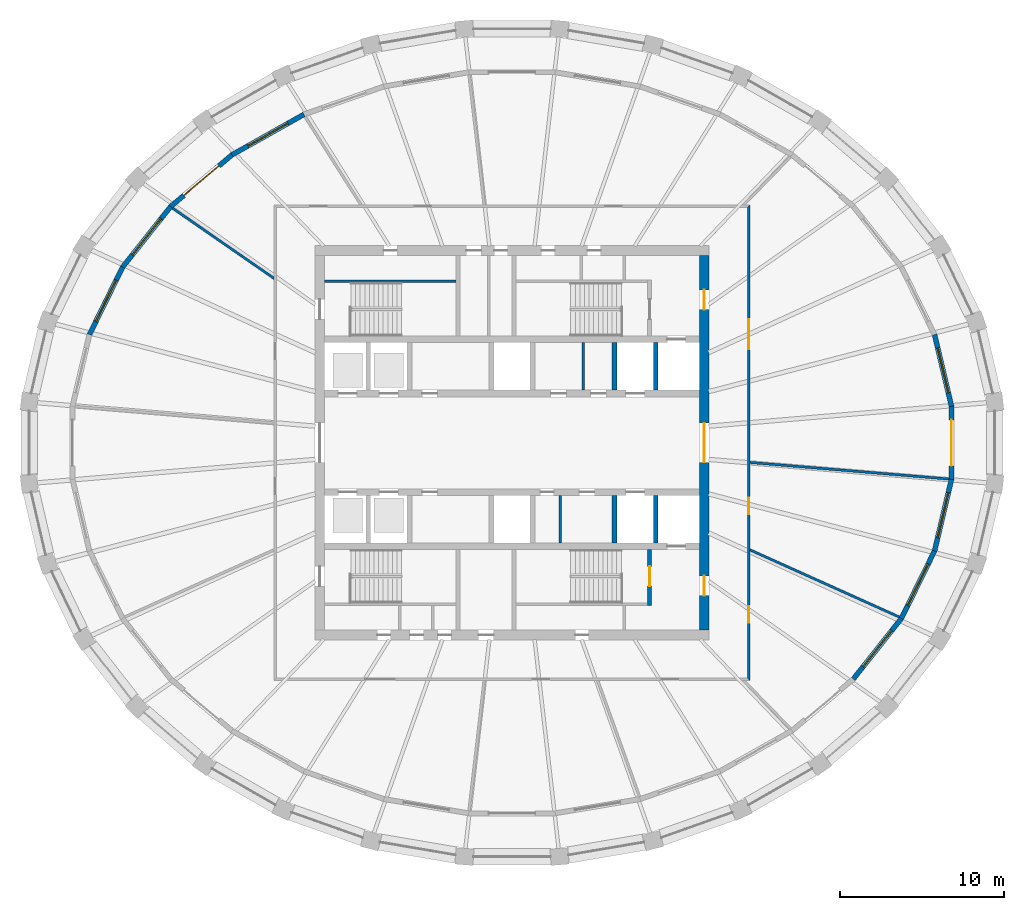
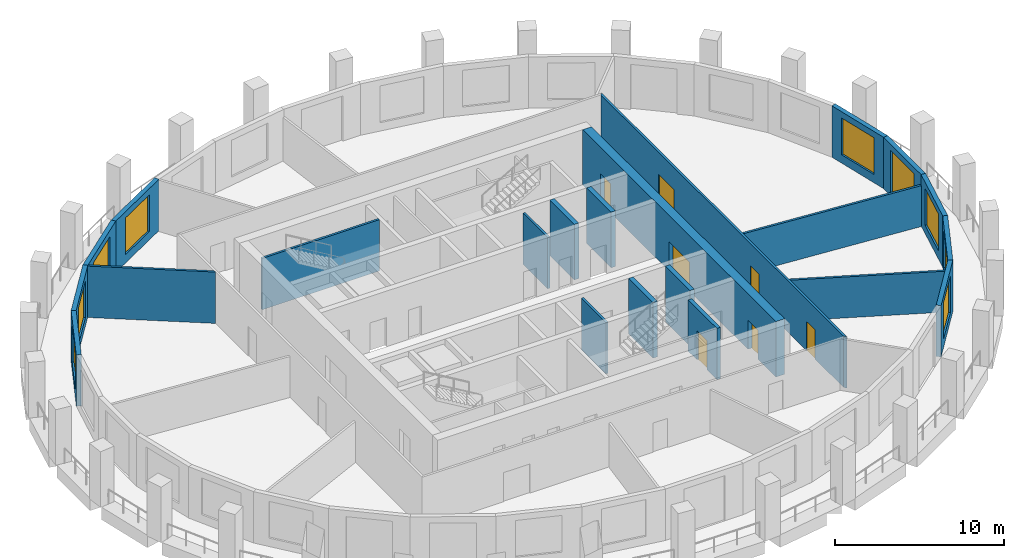
# One storey, part 5 of 10: 22 walls, 9 doors, 7 windows, 16 openings.
"""IFC4 building model written with IfcOpenShell, lengths in metres."""

from ifc_helpers import new_model, si_unit, direction, frame, frame_2d, origin, place, context, subcontext, project, spatial, polyline, rectangle, outline, extrude, material, layer, layer_set, type_object, element, fill, save


model = new_model("IFC4")

# Units and contexts
model_context = context("Model", 3, precision=1e-05, world=origin(), true_north=direction((0.0, 1.0)))
body_context = subcontext(model_context, "Body", "Model", "MODEL_VIEW")
ifc_project = project(units=[si_unit("LENGTHUNIT", "METRE"), si_unit("AREAUNIT", "SQUARE_METRE"), si_unit("VOLUMEUNIT", "CUBIC_METRE"), si_unit("PLANEANGLEUNIT", "RADIAN"), si_unit("MASSUNIT", "GRAM", prefix="KILO")], contexts=[model_context])

# Site, building, storey
site_placement = place(None, origin())
site = spatial("IfcSite", under=ifc_project, at=site_placement, CompositionType="ELEMENT")
building_placement = place(site_placement, origin())
building = spatial("IfcBuilding", under=site, at=building_placement, Name="Halqa Exchange Tower", CompositionType="ELEMENT")
storey_placement = place(building_placement, frame((0.0, 0.0, 284.300048828125)))
storey = spatial("IfcBuildingStorey", under=building, at=storey_placement, Name="L66", CompositionType="ELEMENT", Elevation=284.300048828125)

# Wall
ifc_material_1 = material(Name="Fire-rated gypsum board")
ifc_layer_1 = layer(ifc_material_1, 0.14990234375)
ifc_layer_set_1 = layer_set([ifc_layer_1], Name="Fire-rated gypsum board")
wall_type_1 = type_object("IfcWallType", Name="Fire partition EI 60 150", PredefinedType="PARTITIONING", material=ifc_layer_set_1)
wall_1_placement = place(storey_placement, frame((-14.4326171875, 9.972412109375, 0.0), z_axis=(0.0, 0.0, 1.0), x_axis=(-0.822596869136, 0.568625000231, 0.0)))
element("IfcWall", 1, at=wall_1_placement, inside=storey, type_object=wall_type_1, Name="L66-PWL-005", PredefinedType="PARTITIONING", context=body_context, shape_type="SweptSolid", body=[
    extrude(outline(polyline([(0.103271484375, -0.074951171875), (1.96533203125, -0.074951171875), (3.827392578125, -0.074951171875), (5.689208984375, -0.074951171875), (7.55126953125, -0.074951171875), (7.5712890625, -0.001708984375), (7.575927734375, 0.0693359375), (7.575927734375, 0.074951171875), (5.681884765625, 0.074951171875), (3.7880859375, 0.074951171875), (1.89404296875, 0.074951171875), (0.0, 0.074951171875), (0.0, 0.074462890625), (0.103271484375, -0.074951171875)])), origin(), (0.0, 0.0, 1.0), 3.699951171875),
])

# Wall, openings, doors
wall_2_placement = place(storey_placement, frame((14.39990234375, -14.47509765625, 0.0), z_axis=(0.0, 0.0, 1.0), x_axis=(0.0, 1.0, 0.0)))
wall_2 = element("IfcWall", 2, at=wall_2_placement, inside=storey, type_object=wall_type_1, Name="L66-PWL-012", PredefinedType="PARTITIONING", context=body_context, shape_type="SweptSolid", body=[
    extrude(outline(polyline([(0.000244140625, -0.074951171875), (1.93017578125, -0.074951171875), (3.860107421875, -0.074951171875), (5.790283203125, -0.074951171875), (7.72021484375, -0.074951171875), (9.650146484375, -0.074951171875), (11.580078125, -0.074951171875), (13.510009765625, -0.074951171875), (15.440185546875, -0.074951171875), (17.3701171875, -0.074951171875), (19.300048828125, -0.074951171875), (21.22998046875, -0.074951171875), (23.159912109375, -0.074951171875), (25.090087890625, -0.074951171875), (27.02001953125, -0.074951171875), (28.949951171875, -0.074951171875), (28.800048828125, 0.074951171875), (26.89013671875, 0.074951171875), (24.97998046875, 0.074951171875), (23.070068359375, 0.074951171875), (21.16015625, 0.074951171875), (19.25, 0.074951171875), (17.340087890625, 0.074951171875), (15.43017578125, 0.074951171875), (13.52001953125, 0.074951171875), (11.610107421875, 0.074951171875), (9.7001953125, 0.074951171875), (7.7900390625, 0.074951171875), (5.880126953125, 0.074951171875), (3.97021484375, 0.074951171875), (2.06005859375, 0.074951171875), (0.150146484375, 0.074951171875), (0.000244140625, -0.074951171875)])), origin(), (0.0, 0.0, 1.0), 3.699951171875),
])
opening_1_placement = place(wall_2_placement, frame((3.534912109375, 0.0, 0.0)))
opening_1 = element("IfcOpeningElement", 3, at=opening_1_placement, cuts=wall_2, Name="Opening 20-01", PredefinedType="OPENING", context=body_context, shape_type="SweptSolid", body=[
    extrude(rectangle(XDim=1.0, YDim=2.10009765625, at=frame_2d((0.5, 1.050048828125))), frame((0.0, 0.0869140625, 0.0), z_axis=(0.0, -1.0, 0.0), x_axis=(1.0, 0.0, 0.0)), (0.0, 0.0, 1.0), 0.173828125),
])
opening_2_placement = place(wall_2_placement, frame((10.139892578125, 0.0, 0.0)))
opening_2 = element("IfcOpeningElement", 4, at=opening_2_placement, cuts=wall_2, Name="Opening 20-02", PredefinedType="OPENING", context=body_context, shape_type="SweptSolid", body=[
    extrude(rectangle(XDim=1.0, YDim=2.10009765625, at=frame_2d((0.5, 1.050048828125))), frame((0.0, 0.0869140625, 0.0), z_axis=(0.0, -1.0, 0.0), x_axis=(1.0, 0.0, 0.0)), (0.0, 0.0, 1.0), 0.173828125),
])
opening_3_placement = place(wall_2_placement, frame((20.179931640625, 0.0, 0.0)))
opening_3 = element("IfcOpeningElement", 5, at=opening_3_placement, cuts=wall_2, Name="Opening 20-03", PredefinedType="OPENING", context=body_context, shape_type="SweptSolid", body=[
    extrude(rectangle(XDim=1.800048828125, YDim=2.10009765625, at=frame_2d((0.89990234375, 1.050048828125))), frame((0.0, 0.0869140625, 0.0), z_axis=(0.0, -1.0, 0.0), x_axis=(1.0, 0.0, 0.0)), (0.0, 0.0, 1.0), 0.173828125),
])
ifc_material_2 = material(Name="Steel fire door leaf", Category="steel")
door_type_1 = type_object("IfcDoorType", Name="Fire door FD30S 1000 x 2100", OperationType="SINGLE_SWING_LEFT", PredefinedType="DOOR", material=ifc_material_2)
door_1_placement = place(opening_1_placement, frame((1.0, 0.0, 0.0), z_axis=(0.0, 0.0, 1.0), x_axis=(-1.0, 0.0, 0.0)))
door_1 = element("IfcDoor", 6, at=door_1_placement, inside=storey, type_object=door_type_1, Name="L66-IDR-001", OperationType="SINGLE_SWING_RIGHT", OverallHeight=2.10009765625, OverallWidth=1.0, PredefinedType="DOOR", context=body_context, shape_type="SweptSolid", body=[
    extrude(rectangle(XDim=1.0, YDim=2.10009765625, at=frame_2d((0.5, 1.050048828125))), frame((0.0, 0.02490234375, 0.0), z_axis=(0.0, -1.0, 0.0), x_axis=(1.0, 0.0, 0.0)), (0.0, 0.0, 1.0), 0.050048828125),
])
fill(opening_1, door_1)
door_2_placement = place(opening_2_placement, frame((1.0, 0.0, 0.0), z_axis=(0.0, 0.0, 1.0), x_axis=(-1.0, 0.0, 0.0)))
door_2 = element("IfcDoor", 7, at=door_2_placement, inside=storey, type_object=door_type_1, Name="L66-IDR-002", OperationType="SINGLE_SWING_LEFT", OverallHeight=2.10009765625, OverallWidth=1.0, PredefinedType="DOOR", context=body_context, shape_type="SweptSolid", body=[
    extrude(rectangle(XDim=1.0, YDim=2.10009765625, at=frame_2d((0.5, 1.050048828125))), frame((0.0, 0.02490234375, 0.0), z_axis=(0.0, -1.0, 0.0), x_axis=(1.0, 0.0, 0.0)), (0.0, 0.0, 1.0), 0.050048828125),
])
fill(opening_2, door_2)
door_type_2 = type_object("IfcDoorType", Name="Fire door FD30S double 1800 x 2100", OperationType="DOUBLE_DOOR_SINGLE_SWING", PredefinedType="DOOR", material=ifc_material_2)
door_3_placement = place(opening_3_placement, frame((1.800048828125, 0.0, 0.0), z_axis=(0.0, 0.0, 1.0), x_axis=(-1.0, 0.0, 0.0)))
door_3 = element("IfcDoor", 8, at=door_3_placement, inside=storey, type_object=door_type_2, Name="L66-IDR-003", OperationType="DOUBLE_DOOR_SINGLE_SWING", OverallHeight=2.10009765625, OverallWidth=1.800048828125, PredefinedType="DOOR", context=body_context, shape_type="SweptSolid", body=[
    extrude(rectangle(XDim=1.800048828125, YDim=2.10009765625, at=frame_2d((0.89990234375, 1.050048828125))), frame((0.0, 0.02490234375, 0.0), z_axis=(0.0, -1.0, 0.0), x_axis=(1.0, 0.0, 0.0)), (0.0, 0.0, 1.0), 0.050048828125),
])
fill(opening_3, door_3)

# Walls
wall_3_placement = place(storey_placement, frame((14.444580078125, -6.5, 0.0), z_axis=(0.0, 0.0, 1.0), x_axis=(0.912008635086, -0.410171000351, 0.0)))
element("IfcWall", 9, at=wall_3_placement, inside=storey, type_object=wall_type_1, Name="L66-PWL-013", PredefinedType="PARTITIONING", context=body_context, shape_type="SweptSolid", body=[
    extrude(outline(polyline([(0.067138671875, -0.074951171875), (2.052001953125, -0.074951171875), (4.03662109375, -0.074951171875), (6.021484375, -0.074951171875), (8.00634765625, -0.074951171875), (9.9912109375, -0.074951171875), (10.0087890625, -0.00537109375), (10.011474609375, 0.07080078125), (10.011474609375, 0.074951171875), (8.3427734375, 0.074951171875), (6.67431640625, 0.074951171875), (5.005859375, 0.074951171875), (3.337158203125, 0.074951171875), (1.66845703125, 0.074951171875), (0.0, 0.074951171875), (0.0, 0.07421875), (0.067138671875, -0.074951171875)])), origin(), (0.0, 0.0, 1.0), 2.947021484375),
])
wall_4_placement = place(storey_placement, frame((14.46923828125, -1.19580078125, 0.0), z_axis=(0.0, 0.0, 1.0), x_axis=(0.996556684965, -0.08291425481, 0.0)))
element("IfcWall", 10, at=wall_4_placement, inside=storey, type_object=wall_type_1, Name="L66-PWL-014", PredefinedType="PARTITIONING", context=body_context, shape_type="SweptSolid", body=[
    extrude(outline(polyline([(0.011962890625, -0.074951171875), (1.747314453125, -0.074951171875), (3.482666015625, -0.074951171875), (5.218017578125, -0.074951171875), (6.953369140625, -0.074951171875), (8.688720703125, -0.074951171875), (10.424072265625, -0.074951171875), (12.159423828125, -0.074951171875), (12.163818359375, -0.045166015625), (12.163818359375, 0.074951171875), (10.426025390625, 0.074951171875), (8.6884765625, 0.074951171875), (6.95068359375, 0.074951171875), (5.213134765625, 0.074951171875), (3.475341796875, 0.074951171875), (1.73779296875, 0.074951171875), (0.0, 0.074951171875), (0.0, 0.069580078125), (0.011962890625, -0.074951171875)])), origin(), (0.0, 0.0, 1.0), 2.947021484375),
])
ifc_material_3 = material(Name="Gypsum board")
ifc_layer_2 = layer(ifc_material_3, 0.14990234375)
ifc_layer_set_2 = layer_set([ifc_layer_2], Name="Gypsum board")
wall_type_2 = type_object("IfcWallType", Name="Penthouse riser wall 150 gypsum", PredefinedType="PARTITIONING", material=ifc_layer_set_2)
for number, where, z_axis, x_axis, name in (
    (11, (4.35009765625, 3.199951171875, 0.0), (0.0, 0.0, 1.0), (0.0, 1.0, 0.0), "Freed bay partition NE4.350"),
    (12, (2.949951171875, -6.10009765625, 0.0), (0.0, 0.0, 1.0), (0.0, 1.0, 0.0), "Freed bay partition SE2.950"),
):
    element("IfcWall", number, at=place(storey_placement, frame(where, z_axis=z_axis, x_axis=x_axis)), inside=storey, type_object=wall_type_2, Name=name, PredefinedType="PARTITIONING", context=body_context, shape_type="SweptSolid", body=[
        extrude(rectangle(XDim=2.900146484375, YDim=0.14990234375, at=frame_2d((1.4501953125, 0.0))), origin(), (0.0, 0.0, 1.0), 3.699951171875),
    ])
ifc_material_4 = material(Name="Concrete C60/75", Category="concrete")
ifc_layer_3 = layer(ifc_material_4, 0.300048828125)
ifc_layer_set_3 = layer_set([ifc_layer_3], Name="Concrete C60/75")
wall_type_3 = type_object("IfcWallType", Name="RC core wall 300", PredefinedType="SHEAR", material=ifc_layer_set_3)
for number, where, z_axis, x_axis, name in (
    (13, (6.25, 3.199951171875, 0.0), (0.0, 0.0, 1.0), (0.0, 1.0, 0.0), "Shaft divider N7"),
    (14, (8.75, 3.199951171875, 0.0), (0.0, 0.0, 1.0), (0.0, 1.0, 0.0), "Shaft divider N8"),
    (15, (6.25, -6.10009765625, 0.0), (0.0, 0.0, 1.0), (0.0, 1.0, 0.0), "Shaft divider S7"),
    (16, (8.75, -6.10009765625, 0.0), (0.0, 0.0, 1.0), (0.0, 1.0, 0.0), "Shaft divider S8"),
):
    element("IfcWall", number, at=place(storey_placement, frame(where, z_axis=z_axis, x_axis=x_axis)), inside=storey, type_object=wall_type_3, Name=name, PredefinedType="SHEAR", context=body_context, shape_type="SweptSolid", body=[
        extrude(rectangle(XDim=2.900146484375, YDim=0.300048828125, at=frame_2d((1.4501953125, 0.0))), origin(), (0.0, 0.0, 1.0), 4.0),
    ])

# Wall, openings, doors
ifc_layer_4 = layer(ifc_material_4, 0.60009765625)
ifc_layer_set_4 = layer_set([ifc_layer_4], Name="Concrete C60/75")
wall_type_4 = type_object("IfcWallType", Name="RC core wall 600 C60/75", PredefinedType="SHEAR", material=ifc_layer_set_4)
wall_5_placement = place(storey_placement, frame((11.699951171875, -11.39990234375, 0.0), z_axis=(0.0, 0.0, 1.0), x_axis=(0.0, 1.0, 0.0)))
wall_5 = element("IfcWall", 17, at=wall_5_placement, inside=storey, type_object=wall_type_4, Name="Core wall east", PredefinedType="SHEAR", context=body_context, shape_type="SweptSolid", body=[
    extrude(rectangle(XDim=22.7998046875, YDim=0.60009765625, at=frame_2d((11.39990234375, 0.0))), origin(), (0.0, 0.0, 1.0), 4.0),
])
opening_4_placement = place(wall_5_placement, frame((10.199951171875, 0.0, 0.0)))
opening_4 = element("IfcOpeningElement", 18, at=opening_4_placement, cuts=wall_5, Name="Opening T20-C10", PredefinedType="OPENING", context=body_context, shape_type="SweptSolid", body=[
    extrude(rectangle(XDim=2.39990234375, YDim=2.10009765625, at=frame_2d((1.199951171875, 1.050048828125))), frame((0.0, 0.31201171875, 0.0), z_axis=(0.0, -1.0, 0.0), x_axis=(1.0, 0.0, 0.0)), (0.0, 0.0, 1.0), 0.6240234375),
])
opening_5_placement = place(wall_5_placement, frame((19.5, 0.0, 0.0)))
opening_5 = element("IfcOpeningElement", 19, at=opening_5_placement, cuts=wall_5, Name="Opening T20-C15", PredefinedType="OPENING", context=body_context, shape_type="SweptSolid", body=[
    extrude(rectangle(XDim=1.199951171875, YDim=2.10009765625, at=frame_2d((0.60009765625, 1.050048828125))), frame((0.0, 0.31201171875, 0.0), z_axis=(0.0, -1.0, 0.0), x_axis=(1.0, 0.0, 0.0)), (0.0, 0.0, 1.0), 0.6240234375),
])
opening_6_placement = place(wall_5_placement, frame((2.10009765625, 0.0, 0.0)))
opening_6 = element("IfcOpeningElement", 20, at=opening_6_placement, cuts=wall_5, Name="Opening T20-C16", PredefinedType="OPENING", context=body_context, shape_type="SweptSolid", body=[
    extrude(rectangle(XDim=1.199951171875, YDim=2.10009765625, at=frame_2d((0.60009765625, 1.050048828125))), frame((0.0, 0.31201171875, 0.0), z_axis=(0.0, -1.0, 0.0), x_axis=(1.0, 0.0, 0.0)), (0.0, 0.0, 1.0), 0.6240234375),
])
door_type_3 = type_object("IfcDoorType", Name="Firefighting lobby door FD90 1200 x 2100", OperationType="SINGLE_SWING_RIGHT", PredefinedType="DOOR", material=ifc_material_2)
door_4_placement = place(opening_5_placement, origin())
door_4 = element("IfcDoor", 21, at=door_4_placement, inside=storey, type_object=door_type_3, Name="Firefighting lobby door", OperationType="SINGLE_SWING_RIGHT", OverallHeight=2.10009765625, OverallWidth=1.199951171875, PredefinedType="DOOR", context=body_context, shape_type="SweptSolid", body=[
    extrude(rectangle(XDim=1.199951171875, YDim=2.10009765625, at=frame_2d((0.60009765625, 1.050048828125))), frame((0.0, 0.02490234375, 0.0), z_axis=(0.0, -1.0, 0.0), x_axis=(1.0, 0.0, 0.0)), (0.0, 0.0, 1.0), 0.050048828125),
])
fill(opening_5, door_4)
door_5_placement = place(opening_6_placement, origin())
door_5 = element("IfcDoor", 22, at=door_5_placement, inside=storey, type_object=door_type_3, Name="Firefighting lobby door", OperationType="SINGLE_SWING_LEFT", OverallHeight=2.10009765625, OverallWidth=1.199951171875, PredefinedType="DOOR", context=body_context, shape_type="SweptSolid", body=[
    extrude(rectangle(XDim=1.199951171875, YDim=2.10009765625, at=frame_2d((0.60009765625, 1.050048828125))), frame((0.0, 0.02490234375, 0.0), z_axis=(0.0, -1.0, 0.0), x_axis=(1.0, 0.0, 0.0)), (0.0, 0.0, 1.0), 0.050048828125),
])
fill(opening_6, door_5)
door_type_4 = type_object("IfcDoorType", Name="Lobby double door FD60 2400 x 2100", OperationType="DOUBLE_DOOR_SINGLE_SWING", PredefinedType="DOOR", material=ifc_material_2)
door_6_placement = place(opening_4_placement, origin())
door_6 = element("IfcDoor", 23, at=door_6_placement, inside=storey, type_object=door_type_4, Name="Lift lobby double door", OperationType="DOUBLE_DOOR_SINGLE_SWING", OverallHeight=2.10009765625, OverallWidth=2.39990234375, PredefinedType="DOOR", context=body_context, shape_type="SweptSolid", body=[
    extrude(rectangle(XDim=2.39990234375, YDim=2.10009765625, at=frame_2d((1.199951171875, 1.050048828125))), frame((0.0, 0.02490234375, 0.0), z_axis=(0.0, -1.0, 0.0), x_axis=(1.0, 0.0, 0.0)), (0.0, 0.0, 1.0), 0.050048828125),
])
fill(opening_4, door_6)

# Wall
ifc_material_5 = material(Name="Concrete C30/37", Category="concrete")
ifc_layer_5 = layer(ifc_material_5, 0.14990234375)
ifc_layer_set_5 = layer_set([ifc_layer_5], Name="Concrete C30/37")
wall_type_5 = type_object("IfcWallType", Name="RC stair wall 150 C30/37", PredefinedType="SHEAR", material=ifc_layer_set_5)
wall_6_placement = place(storey_placement, frame((-11.39990234375, 9.824951171875, 0.0), z_axis=(0.0, 0.0, 1.0), x_axis=(1.0, 0.0, 0.0)))
element("IfcWall", 24, at=wall_6_placement, inside=storey, type_object=wall_type_5, Name="Stair ST1 north wall N", PredefinedType="SHEAR", context=body_context, shape_type="SweptSolid", body=[
    extrude(rectangle(XDim=8.0, YDim=0.14990234375, at=frame_2d((4.0, 0.0))), origin(), (0.0, 0.0, 1.0), 3.699951171875),
])

# Wall, opening, door
ifc_layer_6 = layer(ifc_material_5, 0.25)
ifc_layer_set_6 = layer_set([ifc_layer_6], Name="Concrete C30/37")
wall_type_6 = type_object("IfcWallType", Name="RC stair wall 250 C30/37", PredefinedType="SHEAR", material=ifc_layer_set_6)
wall_7_placement = place(storey_placement, frame((8.375, -9.89990234375, 0.0), z_axis=(0.0, 0.0, 1.0), x_axis=(0.0, 1.0, 0.0)))
wall_7 = element("IfcWall", 25, at=wall_7_placement, inside=storey, type_object=wall_type_6, Name="Stair ST2 east wall S", PredefinedType="SHEAR", context=body_context, shape_type="SweptSolid", body=[
    extrude(rectangle(XDim=3.39990234375, YDim=0.25, at=frame_2d((1.699951171875, 0.0))), origin(), (0.0, 0.0, 1.0), 3.699951171875),
])
opening_7_placement = place(wall_7_placement, frame((1.175048828125, 0.0, 0.0)))
opening_7 = element("IfcOpeningElement", 26, at=opening_7_placement, cuts=wall_7, Name="Opening T20-C14", PredefinedType="OPENING", context=body_context, shape_type="SweptSolid", body=[
    extrude(rectangle(XDim=1.199951171875, YDim=2.10009765625, at=frame_2d((0.60009765625, 1.050048828125))), frame((0.0, 0.136962890625, 0.0), z_axis=(0.0, -1.0, 0.0), x_axis=(1.0, 0.0, 0.0)), (0.0, 0.0, 1.0), 0.27392578125),
])
door_type_5 = type_object("IfcDoorType", Name="Stair door FD90 1200 x 2100", OperationType="SINGLE_SWING_LEFT", PredefinedType="DOOR", material=ifc_material_2)
door_7_placement = place(opening_7_placement, origin())
door_7 = element("IfcDoor", 27, at=door_7_placement, inside=storey, type_object=door_type_5, Name="Stair door ST4", OperationType="SINGLE_SWING_LEFT", OverallHeight=2.10009765625, OverallWidth=1.199951171875, PredefinedType="DOOR", context=body_context, shape_type="SweptSolid", body=[
    extrude(rectangle(XDim=1.199951171875, YDim=2.10009765625, at=frame_2d((0.60009765625, 1.050048828125))), frame((0.0, 0.02490234375, 0.0), z_axis=(0.0, -1.0, 0.0), x_axis=(1.0, 0.0, 0.0)), (0.0, 0.0, 1.0), 0.050048828125),
])
fill(opening_7, door_7)

# Wall, opening, window
ifc_material_6 = material(Name="Limestone cladding", Category="masonry")
ifc_layer_7 = layer(ifc_material_6, 0.0400390625)
ifc_material_7 = material(Name="Ventilated cavity")
ifc_layer_8 = layer(ifc_material_7, 0.030029296875, ventilated=True)
ifc_material_8 = material(Name="Mineral wool insulation")
ifc_layer_9 = layer(ifc_material_8, 0.10009765625)
ifc_layer_10 = layer(ifc_material_5, 0.10009765625)
ifc_material_9 = material(Name="Internal plaster")
ifc_layer_11 = layer(ifc_material_9, 0.030029296875)
ifc_layer_set_7 = layer_set([ifc_layer_7, ifc_layer_8, ifc_layer_9, ifc_layer_10, ifc_layer_11], Name="Stone-faced insulated wall 300")
wall_type_7 = type_object("IfcWallType", Name="Stone-faced insulated wall 300", PredefinedType="STANDARD", material=ifc_layer_set_7)
wall_8_placement = place(storey_placement, frame((26.74755859375, 2.2236328125, 0.0), z_axis=(0.0, 0.0, 1.0), x_axis=(-0.229862207503, 0.973223183839, 0.0)))
wall_8 = element("IfcWall", 28, at=wall_8_placement, inside=storey, type_object=wall_type_7, Name="Glass-line wall 1", PredefinedType="STANDARD", context=body_context, shape_type="SweptSolid", body=[
    extrude(outline(polyline([(-0.017578125, -0.14990234375), (4.497802734375, -0.14990234375), (4.464111328125, 0.14990234375), (0.017578125, 0.14990234375), (-0.017578125, -0.14990234375)])), origin(), (0.0, 0.0, 1.0), 3.699951171875),
])
opening_8_placement = place(wall_8_placement, frame((0.840576171875, 0.0, 0.60009765625)))
opening_8 = element("IfcOpeningElement", 29, at=opening_8_placement, cuts=wall_8, Name="Opening W-F4-01", PredefinedType="OPENING", context=body_context, shape_type="SweptSolid", body=[
    extrude(rectangle(XDim=2.800048828125, YDim=2.64990234375, at=frame_2d((1.39990234375, 1.324951171875))), frame((0.0, 0.162109375, 0.0), z_axis=(0.0, -1.0, 0.0), x_axis=(1.0, 0.0, 0.0)), (0.0, 0.0, 1.0), 0.323974609375),
])
ifc_material_10 = material(Name="Clear low-emissivity glass in aluminium frame", Category="aluminium")
window_type = type_object("IfcWindowType", Name="Fixed clear glazed window 2800 x 2650", PartitioningType="DOUBLE_PANEL_VERTICAL", PredefinedType="WINDOW", material=ifc_material_10)
window_1_placement = place(opening_8_placement, origin())
window_1 = element("IfcWindow", 30, at=window_1_placement, inside=storey, type_object=window_type, Name="Window 4", OverallHeight=2.64990234375, OverallWidth=2.800048828125, PartitioningType="DOUBLE_PANEL_VERTICAL", PredefinedType="WINDOW", context=body_context, shape_type="SweptSolid", body=[
    extrude(rectangle(XDim=2.800048828125, YDim=2.64990234375, at=frame_2d((1.39990234375, 1.324951171875))), frame((0.0, 0.030029296875, 0.0), z_axis=(0.0, -1.0, 0.0), x_axis=(1.0, 0.0, 0.0)), (0.0, 0.0, 1.0), 0.06005859375),
])
fill(opening_8, window_1)

wall_9_placement = place(storey_placement, frame((-12.66064453125, 19.98779296875, 0.0), z_axis=(0.0, 0.0, 1.0), x_axis=(-0.871488606878, -0.490415750239, 0.0)))
wall_9 = element("IfcWall", 31, at=wall_9_placement, inside=storey, type_object=wall_type_7, Name="Glass-line wall 11", PredefinedType="STANDARD", context=body_context, shape_type="SweptSolid", body=[
    extrude(outline(polyline([(-0.01318359375, -0.14990234375), (5.040283203125, -0.14990234375), (5.011962890625, 0.14990234375), (0.01318359375, 0.14990234375), (-0.01318359375, -0.14990234375)])), origin(), (0.0, 0.0, 1.0), 3.699951171875),
])
opening_9_placement = place(wall_9_placement, frame((1.113037109375, 0.0, 0.60009765625)))
opening_9 = element("IfcOpeningElement", 32, at=opening_9_placement, cuts=wall_9, Name="Opening W-F4-11", PredefinedType="OPENING", context=body_context, shape_type="SweptSolid", body=[
    extrude(rectangle(XDim=2.800048828125, YDim=2.64990234375, at=frame_2d((1.39990234375, 1.324951171875))), frame((0.0, 0.162109375, 0.0), z_axis=(0.0, -1.0, 0.0), x_axis=(1.0, 0.0, 0.0)), (0.0, 0.0, 1.0), 0.323974609375),
])
window_2_placement = place(opening_9_placement, origin())
window_2 = element("IfcWindow", 33, at=window_2_placement, inside=storey, type_object=window_type, Name="Window 4", OverallHeight=2.64990234375, OverallWidth=2.800048828125, PartitioningType="DOUBLE_PANEL_VERTICAL", PredefinedType="WINDOW", context=body_context, shape_type="SweptSolid", body=[
    extrude(rectangle(XDim=2.800048828125, YDim=2.64990234375, at=frame_2d((1.39990234375, 1.324951171875))), frame((0.0, 0.030029296875, 0.0), z_axis=(0.0, -1.0, 0.0), x_axis=(1.0, 0.0, 0.0)), (0.0, 0.0, 1.0), 0.06005859375),
])
fill(opening_9, window_2)

# Wall, opening, door
wall_10_placement = place(storey_placement, frame((-17.040771484375, 17.52294921875, 0.0), z_axis=(0.0, 0.0, 1.0), x_axis=(-0.764876116592, -0.644177402792, 0.0)))
wall_10 = element("IfcWall", 34, at=wall_10_placement, inside=storey, type_object=wall_type_7, Name="Glass-line wall 12", PredefinedType="STANDARD", context=body_context, shape_type="SweptSolid", body=[
    extrude(outline(polyline([(-0.01416015625, -0.14990234375), (4.887939453125, -0.14990234375), (4.857666015625, 0.14990234375), (0.01416015625, 0.14990234375), (-0.01416015625, -0.14990234375)])), origin(), (0.0, 0.0, 1.0), 3.699951171875),
])
opening_10_placement = place(wall_10_placement, frame((1.036376953125, 0.0, 0.0)))
opening_10 = element("IfcOpeningElement", 35, at=opening_10_placement, cuts=wall_10, Name="Opening LG-F4-03", PredefinedType="OPENING", context=body_context, shape_type="SweptSolid", body=[
    extrude(rectangle(XDim=2.800048828125, YDim=3.25, at=frame_2d((1.39990234375, 1.625))), frame((0.0, 0.162109375, 0.0), z_axis=(0.0, -1.0, 0.0), x_axis=(1.0, 0.0, 0.0)), (0.0, 0.0, 1.0), 0.323974609375),
])
door_type_6 = type_object("IfcDoorType", Name="Glazed sliding loggia door 2800 x 3250", OperationType="DOUBLE_DOOR_SLIDING", PredefinedType="DOOR", material=ifc_material_10)
door_8_placement = place(opening_10_placement, origin())
door_8 = element("IfcDoor", 36, at=door_8_placement, inside=storey, type_object=door_type_6, Name="Loggia door 3", OperationType="DOUBLE_DOOR_SLIDING", OverallHeight=3.25, OverallWidth=2.800048828125, PredefinedType="DOOR", context=body_context, shape_type="SweptSolid", body=[
    extrude(rectangle(XDim=2.800048828125, YDim=3.25, at=frame_2d((1.39990234375, 1.625))), frame((0.0, 0.02490234375, 0.0), z_axis=(0.0, -1.0, 0.0), x_axis=(1.0, 0.0, 0.0)), (0.0, 0.0, 1.0), 0.050048828125),
])
fill(opening_10, door_8)

# Wall, opening, window
wall_11_placement = place(storey_placement, frame((-20.767822265625, 14.384033203125, 0.0), z_axis=(0.0, 0.0, 1.0), x_axis=(-0.621544881236, -0.783378555112, 0.0)))
wall_11 = element("IfcWall", 37, at=wall_11_placement, inside=storey, type_object=wall_type_7, Name="Glass-line wall 13", PredefinedType="STANDARD", context=body_context, shape_type="SweptSolid", body=[
    extrude(outline(polyline([(-0.01513671875, -0.14990234375), (4.73046875, -0.14990234375), (4.6982421875, 0.14990234375), (0.01513671875, 0.14990234375), (-0.01513671875, -0.14990234375)])), origin(), (0.0, 0.0, 1.0), 3.699951171875),
])
opening_11_placement = place(wall_11_placement, frame((0.957275390625, 0.0, 0.60009765625)))
opening_11 = element("IfcOpeningElement", 38, at=opening_11_placement, cuts=wall_11, Name="Opening W-F4-13", PredefinedType="OPENING", context=body_context, shape_type="SweptSolid", body=[
    extrude(rectangle(XDim=2.800048828125, YDim=2.64990234375, at=frame_2d((1.39990234375, 1.324951171875))), frame((0.0, 0.162109375, 0.0), z_axis=(0.0, -1.0, 0.0), x_axis=(1.0, 0.0, 0.0)), (0.0, 0.0, 1.0), 0.323974609375),
])
window_3_placement = place(opening_11_placement, origin())
window_3 = element("IfcWindow", 39, at=window_3_placement, inside=storey, type_object=window_type, Name="Window 4", OverallHeight=2.64990234375, OverallWidth=2.800048828125, PartitioningType="DOUBLE_PANEL_VERTICAL", PredefinedType="WINDOW", context=body_context, shape_type="SweptSolid", body=[
    extrude(rectangle(XDim=2.800048828125, YDim=2.64990234375, at=frame_2d((1.39990234375, 1.324951171875))), frame((0.0, 0.030029296875, 0.0), z_axis=(0.0, -1.0, 0.0), x_axis=(1.0, 0.0, 0.0)), (0.0, 0.0, 1.0), 0.06005859375),
])
fill(opening_11, window_3)

wall_12_placement = place(storey_placement, frame((-23.697998046875, 10.69091796875, 0.0), z_axis=(0.0, 0.0, 1.0), x_axis=(-0.441335149795, -0.897342345794, 0.0)))
wall_12 = element("IfcWall", 40, at=wall_12_placement, inside=storey, type_object=wall_type_7, Name="Glass-line wall 14", PredefinedType="STANDARD", context=body_context, shape_type="SweptSolid", body=[
    extrude(outline(polyline([(-0.01611328125, -0.14990234375), (4.5927734375, -0.14990234375), (4.55908203125, 0.14990234375), (0.01611328125, 0.14990234375), (-0.01611328125, -0.14990234375)])), origin(), (0.0, 0.0, 1.0), 3.699951171875),
])
opening_12_placement = place(wall_12_placement, frame((0.887939453125, 0.0, 0.60009765625)))
opening_12 = element("IfcOpeningElement", 41, at=opening_12_placement, cuts=wall_12, Name="Opening W-F4-14", PredefinedType="OPENING", context=body_context, shape_type="SweptSolid", body=[
    extrude(rectangle(XDim=2.800048828125, YDim=2.64990234375, at=frame_2d((1.39990234375, 1.324951171875))), frame((0.0, 0.162109375, 0.0), z_axis=(0.0, -1.0, 0.0), x_axis=(1.0, 0.0, 0.0)), (0.0, 0.0, 1.0), 0.323974609375),
])
window_4_placement = place(opening_12_placement, origin())
window_4 = element("IfcWindow", 42, at=window_4_placement, inside=storey, type_object=window_type, Name="Window 4", OverallHeight=2.64990234375, OverallWidth=2.800048828125, PartitioningType="DOUBLE_PANEL_VERTICAL", PredefinedType="WINDOW", context=body_context, shape_type="SweptSolid", body=[
    extrude(rectangle(XDim=2.800048828125, YDim=2.64990234375, at=frame_2d((1.39990234375, 1.324951171875))), frame((0.0, 0.030029296875, 0.0), z_axis=(0.0, -1.0, 0.0), x_axis=(1.0, 0.0, 0.0)), (0.0, 0.0, 1.0), 0.06005859375),
])
fill(opening_12, window_4)

wall_13_placement = place(storey_placement, frame((20.767822265625, -14.384033203125, 0.0), z_axis=(0.0, 0.0, 1.0), x_axis=(0.621544881236, 0.783378555112, 0.0)))
wall_13 = element("IfcWall", 43, at=wall_13_placement, inside=storey, type_object=wall_type_7, Name="Glass-line wall 29", PredefinedType="STANDARD", context=body_context, shape_type="SweptSolid", body=[
    extrude(outline(polyline([(-0.01513671875, -0.14990234375), (4.73046875, -0.14990234375), (4.6982421875, 0.14990234375), (0.01513671875, 0.14990234375), (-0.01513671875, -0.14990234375)])), origin(), (0.0, 0.0, 1.0), 3.699951171875),
])
opening_13_placement = place(wall_13_placement, frame((0.957275390625, 0.0, 0.60009765625)))
opening_13 = element("IfcOpeningElement", 44, at=opening_13_placement, cuts=wall_13, Name="Opening W-F4-29", PredefinedType="OPENING", context=body_context, shape_type="SweptSolid", body=[
    extrude(rectangle(XDim=2.800048828125, YDim=2.64990234375, at=frame_2d((1.39990234375, 1.324951171875))), frame((0.0, 0.162109375, 0.0), z_axis=(0.0, -1.0, 0.0), x_axis=(1.0, 0.0, 0.0)), (0.0, 0.0, 1.0), 0.323974609375),
])
window_5_placement = place(opening_13_placement, origin())
window_5 = element("IfcWindow", 45, at=window_5_placement, inside=storey, type_object=window_type, Name="Window 4", OverallHeight=2.64990234375, OverallWidth=2.800048828125, PartitioningType="DOUBLE_PANEL_VERTICAL", PredefinedType="WINDOW", context=body_context, shape_type="SweptSolid", body=[
    extrude(rectangle(XDim=2.800048828125, YDim=2.64990234375, at=frame_2d((1.39990234375, 1.324951171875))), frame((0.0, 0.030029296875, 0.0), z_axis=(0.0, -1.0, 0.0), x_axis=(1.0, 0.0, 0.0)), (0.0, 0.0, 1.0), 0.06005859375),
])
fill(opening_13, window_5)

wall_14_placement = place(storey_placement, frame((23.697998046875, -10.69091796875, 0.0), z_axis=(0.0, 0.0, 1.0), x_axis=(0.441335149795, 0.897342345794, 0.0)))
wall_14 = element("IfcWall", 46, at=wall_14_placement, inside=storey, type_object=wall_type_7, Name="Glass-line wall 30", PredefinedType="STANDARD", context=body_context, shape_type="SweptSolid", body=[
    extrude(outline(polyline([(-0.01611328125, -0.14990234375), (4.5927734375, -0.14990234375), (4.55908203125, 0.14990234375), (0.01611328125, 0.14990234375), (-0.01611328125, -0.14990234375)])), origin(), (0.0, 0.0, 1.0), 3.699951171875),
])
opening_14_placement = place(wall_14_placement, frame((0.887939453125, 0.0, 0.60009765625)))
opening_14 = element("IfcOpeningElement", 47, at=opening_14_placement, cuts=wall_14, Name="Opening W-F4-30", PredefinedType="OPENING", context=body_context, shape_type="SweptSolid", body=[
    extrude(rectangle(XDim=2.800048828125, YDim=2.64990234375, at=frame_2d((1.39990234375, 1.324951171875))), frame((0.0, 0.162109375, 0.0), z_axis=(0.0, -1.0, 0.0), x_axis=(1.0, 0.0, 0.0)), (0.0, 0.0, 1.0), 0.323974609375),
])
window_6_placement = place(opening_14_placement, origin())
window_6 = element("IfcWindow", 48, at=window_6_placement, inside=storey, type_object=window_type, Name="Window 4", OverallHeight=2.64990234375, OverallWidth=2.800048828125, PartitioningType="DOUBLE_PANEL_VERTICAL", PredefinedType="WINDOW", context=body_context, shape_type="SweptSolid", body=[
    extrude(rectangle(XDim=2.800048828125, YDim=2.64990234375, at=frame_2d((1.39990234375, 1.324951171875))), frame((0.0, 0.030029296875, 0.0), z_axis=(0.0, -1.0, 0.0), x_axis=(1.0, 0.0, 0.0)), (0.0, 0.0, 1.0), 0.06005859375),
])
fill(opening_14, window_6)

wall_15_placement = place(storey_placement, frame((25.717529296875, -6.584716796875, 0.0), z_axis=(0.0, 0.0, 1.0), x_axis=(0.229862207503, 0.973223183839, 0.0)))
wall_15 = element("IfcWall", 49, at=wall_15_placement, inside=storey, type_object=wall_type_7, Name="Glass-line wall 31", PredefinedType="STANDARD", context=body_context, shape_type="SweptSolid", body=[
    extrude(outline(polyline([(-0.016845703125, -0.14990234375), (4.49853515625, -0.14990234375), (4.46337890625, 0.14990234375), (0.016845703125, 0.14990234375), (-0.016845703125, -0.14990234375)])), origin(), (0.0, 0.0, 1.0), 3.699951171875),
])
opening_15_placement = place(wall_15_placement, frame((0.840576171875, 0.0, 0.60009765625)))
opening_15 = element("IfcOpeningElement", 50, at=opening_15_placement, cuts=wall_15, Name="Opening W-F4-31", PredefinedType="OPENING", context=body_context, shape_type="SweptSolid", body=[
    extrude(rectangle(XDim=2.800048828125, YDim=2.64990234375, at=frame_2d((1.39990234375, 1.324951171875))), frame((0.0, 0.162109375, 0.0), z_axis=(0.0, -1.0, 0.0), x_axis=(1.0, 0.0, 0.0)), (0.0, 0.0, 1.0), 0.323974609375),
])
window_7_placement = place(opening_15_placement, origin())
window_7 = element("IfcWindow", 51, at=window_7_placement, inside=storey, type_object=window_type, Name="Window 4", OverallHeight=2.64990234375, OverallWidth=2.800048828125, PartitioningType="DOUBLE_PANEL_VERTICAL", PredefinedType="WINDOW", context=body_context, shape_type="SweptSolid", body=[
    extrude(rectangle(XDim=2.800048828125, YDim=2.64990234375, at=frame_2d((1.39990234375, 1.324951171875))), frame((0.0, 0.030029296875, 0.0), z_axis=(0.0, -1.0, 0.0), x_axis=(1.0, 0.0, 0.0)), (0.0, 0.0, 1.0), 0.06005859375),
])
fill(opening_15, window_7)

# Wall, opening, door
wall_16_placement = place(storey_placement, frame((26.74755859375, -2.2236328125, 0.0), z_axis=(0.0, 0.0, 1.0), x_axis=(0.0, 1.0, 0.0)))
wall_16 = element("IfcWall", 52, at=wall_16_placement, inside=storey, type_object=wall_type_7, Name="Glass-line wall 32", PredefinedType="STANDARD", context=body_context, shape_type="SweptSolid", body=[
    extrude(outline(polyline([(-0.017578125, -0.14990234375), (4.46484375, -0.14990234375), (4.4296875, 0.14990234375), (0.017578125, 0.14990234375), (-0.017578125, -0.14990234375)])), origin(), (0.0, 0.0, 1.0), 3.699951171875),
])
opening_16_placement = place(wall_16_placement, frame((0.82373046875, 0.0, 0.0)))
opening_16 = element("IfcOpeningElement", 53, at=opening_16_placement, cuts=wall_16, Name="Opening LG-F4-08", PredefinedType="OPENING", context=body_context, shape_type="SweptSolid", body=[
    extrude(rectangle(XDim=2.800048828125, YDim=3.25, at=frame_2d((1.39990234375, 1.625))), frame((0.0, 0.162109375, 0.0), z_axis=(0.0, -1.0, 0.0), x_axis=(1.0, 0.0, 0.0)), (0.0, 0.0, 1.0), 0.323974609375),
])
door_9_placement = place(opening_16_placement, origin())
door_9 = element("IfcDoor", 54, at=door_9_placement, inside=storey, type_object=door_type_6, Name="Loggia door 8", OperationType="DOUBLE_DOOR_SLIDING", OverallHeight=3.25, OverallWidth=2.800048828125, PredefinedType="DOOR", context=body_context, shape_type="SweptSolid", body=[
    extrude(rectangle(XDim=2.800048828125, YDim=3.25, at=frame_2d((1.39990234375, 1.625))), frame((0.0, 0.02490234375, 0.0), z_axis=(0.0, -1.0, 0.0), x_axis=(1.0, 0.0, 0.0)), (0.0, 0.0, 1.0), 0.050048828125),
])
fill(opening_16, door_9)

save(model, "model.ifc")
